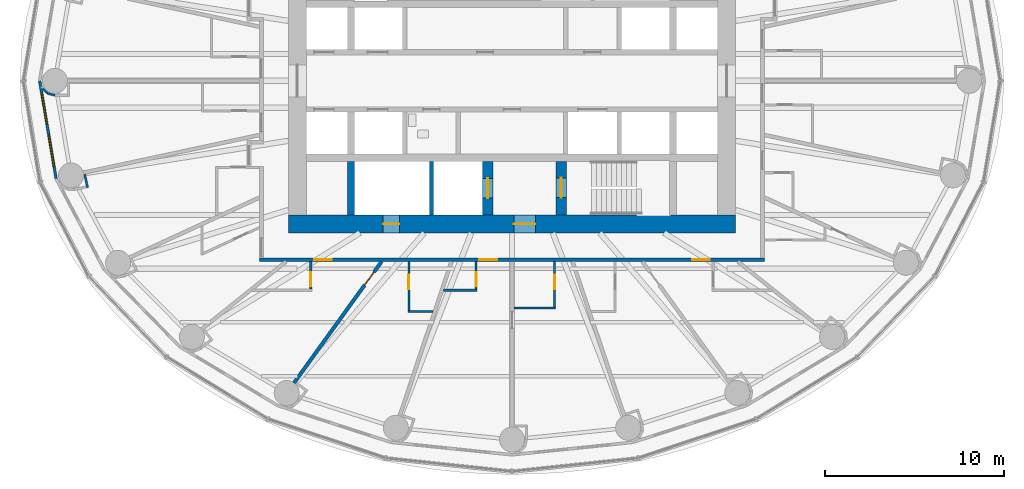
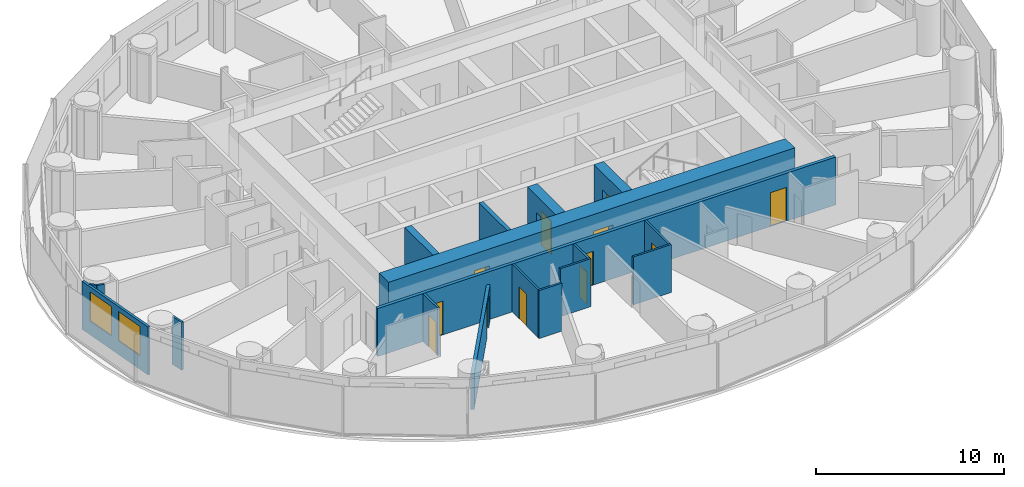
# One storey, part 7 of 16: 18 walls, 12 doors, 2 windows, 14 openings.
"""IFC4 building model written with IfcOpenShell, lengths in metres."""

import ifcopenshell
import ifcopenshell.guid

model = None  # the IFC model being written
_history = None  # IfcOwnerHistory: only IFC2X3 demands one
_inside = {}  # id of a spatial element -> (the spatial element, [elements in it])
_under = {}  # id of a project, library or spatial element -> (it, [spatial elements below it])
_declared = {}  # id of a project -> (the project, [libraries it declares])
_typed = {}  # id of a type object -> (the type object, [elements of that type])
_made_of = {}  # id of a material, layer set ... -> (it, [elements and type objects made of it])


def new_model(schema):
    """Start an empty IFC model of exactly this schema.

    Asked for "IFC4X3", IfcOpenShell would pick the latest addendum, in which some entities
    have other attributes; the version numbers below select the first issue.
    IFC2X3 requires an IfcOwnerHistory on every rooted entity: one is made here for all.
    """
    global model, _history
    if schema == "IFC4X3":
        model = ifcopenshell.file(schema_version=(4, 3, 0, 0))
    else:
        model = ifcopenshell.file(schema=schema)
    _inside.clear()
    _under.clear()
    _declared.clear()
    _typed.clear()
    _made_of.clear()
    _history = None
    if model.schema == "IFC2X3":
        org = make("IfcOrganization", Name="unknown")
        user = make(
            "IfcPersonAndOrganization",
            ThePerson=make("IfcPerson", FamilyName="unknown"),
            TheOrganization=org,
        )
        app = make(
            "IfcApplication",
            ApplicationDeveloper=org,
            Version="unknown",
            ApplicationFullName="unknown",
            ApplicationIdentifier="unknown",
        )
        _history = make(
            "IfcOwnerHistory",
            OwningUser=user,
            OwningApplication=app,
            ChangeAction="ADDED",
            CreationDate=0,
        )
    return model


def make(cls, **values):
    """One entity of the class cls with the attributes given. An attribute that is None is left unset."""
    return model.create_entity(
        cls, **{name: value for name, value in values.items() if value is not None}
    )


def rooted(cls, **values):
    """An entity with a GlobalId (a new one), such as an element, a storey or a relation."""
    return make(cls, GlobalId=ifcopenshell.guid.new(), OwnerHistory=_history, **values)


def si_unit(unit_type, name, prefix=None):
    """IfcSIUnit, for example si_unit("LENGTHUNIT", "METRE", prefix="MILLI")."""
    return make("IfcSIUnit", UnitType=unit_type, Prefix=prefix, Name=name)


def assignment(units):
    """IfcUnitAssignment: the units of a project."""
    return None if units is None else make("IfcUnitAssignment", Units=units)


def point(xyz):
    """IfcCartesianPoint."""
    return None if xyz is None else make("IfcCartesianPoint", Coordinates=xyz)


def direction(xyz):
    """IfcDirection."""
    return None if xyz is None else make("IfcDirection", DirectionRatios=xyz)


def frame(location, z_axis=None, x_axis=None):
    """IfcAxis2Placement3D, a coordinate frame: its origin and axes. An axis left out is left unset."""
    return make(
        "IfcAxis2Placement3D",
        Location=point(location),
        Axis=direction(z_axis),
        RefDirection=direction(x_axis),
    )


def frame_2d(location, x_axis=None):
    """IfcAxis2Placement2D, a coordinate frame in the plane: its origin and x axis."""
    return make(
        "IfcAxis2Placement2D", Location=point(location), RefDirection=direction(x_axis)
    )


def origin():
    """The frame at (0, 0, 0) with its axes left unset."""
    return frame((0.0, 0.0, 0.0))


def place(relative_to, where):
    """IfcLocalPlacement: puts the frame where relative to a parent placement (None: the world)."""
    return make(
        "IfcLocalPlacement", PlacementRelTo=relative_to, RelativePlacement=where
    )


def context(
    kind, dimensions, precision=None, world=None, true_north=None, identifier=None
):
    """IfcGeometricRepresentationContext, for example the 3D "Model" context."""
    return make(
        "IfcGeometricRepresentationContext",
        ContextIdentifier=identifier,
        ContextType=kind,
        CoordinateSpaceDimension=dimensions,
        Precision=precision,
        WorldCoordinateSystem=world,
        TrueNorth=true_north,
    )


def subcontext(parent, identifier, kind, view, scale=None):
    """IfcGeometricRepresentationSubContext, for example "Body" below "Model"."""
    return make(
        "IfcGeometricRepresentationSubContext",
        ContextIdentifier=identifier,
        ContextType=kind,
        ParentContext=parent,
        TargetScale=scale,
        TargetView=view,
    )


def project(units=None, contexts=None):
    """IfcProject with its units and contexts."""
    return rooted(
        "IfcProject",
        Name="project",
        RepresentationContexts=contexts,
        UnitsInContext=assignment(units),
    )


def spatial(cls, under=None, at=None, **own):
    """A site, building, storey or space (cls), placed at a placement, below another one or the project."""
    s = rooted(cls, ObjectPlacement=at, **own)
    if under is not None:
        _under.setdefault(under.id(), (under, []))[1].append(s)
    return s


def profile(cls, at=None, kind="AREA", **sizes):
    """A parametric profile (cls). Its sizes go by their IFC names, for example OverallWidth=200.0."""
    return make(cls, ProfileType=kind, Position=at, **sizes)


def rectangle(**sizes):
    """IfcRectangleProfileDef."""
    return profile("IfcRectangleProfileDef", **sizes)


def extrude(swept, where, along, depth):
    """IfcExtrudedAreaSolid: the profile swept, set in the frame where, extruded along a direction by depth."""
    return make(
        "IfcExtrudedAreaSolid",
        SweptArea=swept,
        Position=where,
        ExtrudedDirection=direction(along),
        Depth=depth,
    )


def shape(context_of_items, identifier, shape_type, items):
    """IfcShapeRepresentation: the items that make up one representation, for example the "Body"."""
    return make(
        "IfcShapeRepresentation",
        ContextOfItems=context_of_items,
        RepresentationIdentifier=identifier,
        RepresentationType=shape_type,
        Items=items,
    )


def material(Name=None, Category=None):
    """IfcMaterial."""
    return make("IfcMaterial", Name=Name, Category=Category)


def layer(
    of_material, thickness, ventilated=None, Name=None, Category=None, Priority=None
):
    """IfcMaterialLayer: one layer of a wall or slab, of a material (None: an air gap)."""
    return make(
        "IfcMaterialLayer",
        Material=of_material,
        LayerThickness=thickness,
        IsVentilated=ventilated,
        Name=Name,
        Category=Category,
        Priority=Priority,
    )


def layer_set(layers, Name=None):
    """IfcMaterialLayerSet."""
    return make("IfcMaterialLayerSet", MaterialLayers=layers, LayerSetName=Name)


def made_of(thing, what):
    """Note that an element or type object is made of a material, layer set ...; save() writes the relation."""
    if what is not None:
        _made_of.setdefault(what.id(), (what, []))[1].append(thing)
    return thing


def type_object(cls, material=None, **own):
    """A type object (cls), such as IfcWallType, which elements share."""
    return made_of(rooted(cls, **own), material)


def element(
    cls,
    number,
    at=None,
    inside=None,
    cuts=None,
    type_object=None,
    material=None,
    context=None,
    identifier="Body",
    shape_type=None,
    held_by="IfcProductDefinitionShape",
    body=None,
    shapes=None,
    **own,
):
    """One element of the class cls, such as IfcWall. Its Tag is "e" and its number.

    at: its placement. inside: the storey or other place that contains it. cuts: it is an
    opening in that element (IfcRelVoidsElement). A single representation is given by context,
    identifier, shape_type and body (its items); several are given by shapes. held_by: the class
    of the entity that holds the representations. save() writes the other relations.
    """
    e = rooted(cls, Tag="e%d" % number, ObjectPlacement=at, **own)
    if body is not None:
        shapes = [shape(context, identifier, shape_type, body)]
    if shapes is not None:
        e.Representation = make(held_by, Representations=shapes)
    if inside is not None:
        _inside.setdefault(inside.id(), (inside, []))[1].append(e)
    if cuts is not None:
        rooted(
            "IfcRelVoidsElement", RelatingBuildingElement=cuts, RelatedOpeningElement=e
        )
    if type_object is not None:
        _typed.setdefault(type_object.id(), (type_object, []))[1].append(e)
    return made_of(e, material)


def fill(opening, filler):
    """IfcRelFillsElement: the door or window that sits in an opening."""
    return rooted(
        "IfcRelFillsElement",
        RelatingOpeningElement=opening,
        RelatedBuildingElement=filler,
    )


def aggregate(whole, parts):
    """IfcRelAggregates: a whole, such as a stair, and the parts it consists of."""
    return rooted("IfcRelAggregates", RelatingObject=whole, RelatedObjects=parts)


def save(model, path):
    """Write the relations noted so far, then the file.

    IfcRelAggregates (storeys below a building ...), IfcRelContainedInSpatialStructure (elements
    in a storey), IfcRelDefinesByType, IfcRelAssociatesMaterial and IfcRelDeclares: one each for
    every whole, place, type object, material and project.
    """
    for whole, parts in _under.values():
        aggregate(whole, parts)
    for where, things in _inside.values():
        rooted(
            "IfcRelContainedInSpatialStructure",
            RelatedElements=things,
            RelatingStructure=where,
        )
    for kind, things in _typed.values():
        rooted("IfcRelDefinesByType", RelatedObjects=things, RelatingType=kind)
    for what, things in _made_of.values():
        rooted("IfcRelAssociatesMaterial", RelatedObjects=things, RelatingMaterial=what)
    for by, libraries in _declared.values():
        rooted("IfcRelDeclares", RelatingContext=by, RelatedDefinitions=libraries)
    model.write(path)


model = new_model("IFC4")

# Units and contexts
model_context = context("Model", 3, precision=1e-05, world=origin(), true_north=direction((0.0, 1.0)))
body_context = subcontext(model_context, "Body", "Model", "MODEL_VIEW")
ifc_project = project(units=[si_unit("LENGTHUNIT", "METRE"), si_unit("AREAUNIT", "SQUARE_METRE"), si_unit("VOLUMEUNIT", "CUBIC_METRE"), si_unit("PLANEANGLEUNIT", "RADIAN"), si_unit("MASSUNIT", "GRAM", prefix="KILO")], contexts=[model_context])

# Site, building, storey
site_placement = place(None, origin())
site = spatial("IfcSite", under=ifc_project, at=site_placement, CompositionType="ELEMENT")
building_placement = place(site_placement, origin())
building = spatial("IfcBuilding", under=site, at=building_placement, Name="Hankou Lantern Tower", CompositionType="ELEMENT")
storey_placement = place(building_placement, frame((0.0, 0.0, 73.800048828125)))
storey = spatial("IfcBuildingStorey", under=building, at=storey_placement, Name="L18", CompositionType="ELEMENT", Elevation=73.800048828125)

# Wall, openings, doors
ifc_material_1 = material(Name="Concrete C60", Category="concrete")
ifc_layer_1 = layer(ifc_material_1, 1.0)
ifc_layer_set_1 = layer_set([ifc_layer_1], Name="Concrete C60")
wall_type_1 = type_object("IfcWallType", Name="CW1 CORE WALL 1000", PredefinedType="SHEAR", material=ifc_layer_set_1)
wall_1_placement = place(storey_placement, frame((12.5, -8.0, 0.0), z_axis=(0.0, 0.0, 1.0), x_axis=(-1.0, 0.0, 0.0)))
wall_1 = element("IfcWall", 1, at=wall_1_placement, inside=storey, type_object=wall_type_1, Name="Core wall south L18", PredefinedType="SHEAR", context=body_context, shape_type="SweptSolid", body=[
    extrude(rectangle(XDim=25.0, YDim=1.0, at=frame_2d((12.5, 0.0))), origin(), (0.0, 0.0, 1.0), 3.300048828125),
])
opening_1_placement = place(wall_1_placement, frame((11.199951171875, 0.0, 0.0)))
opening_1 = element("IfcOpeningElement", 2, at=opening_1_placement, cuts=wall_1, Name="Opening D5", PredefinedType="OPENING", context=body_context, shape_type="SweptSolid", body=[
    extrude(rectangle(XDim=1.199951171875, YDim=2.199951171875, at=frame_2d((0.60009765625, 1.10009765625))), frame((0.0, 0.510009765625, 0.0), z_axis=(0.0, -1.0, 0.0), x_axis=(1.0, 0.0, 0.0)), (0.0, 0.0, 1.0), 1.02001953125),
])
opening_2_placement = place(wall_1_placement, frame((18.800048828125, 0.0, 0.0)))
opening_2 = element("IfcOpeningElement", 3, at=opening_2_placement, cuts=wall_1, Name="Opening D7", PredefinedType="OPENING", context=body_context, shape_type="SweptSolid", body=[
    extrude(rectangle(XDim=0.89990234375, YDim=2.199951171875, at=frame_2d((0.449951171875, 1.10009765625))), frame((0.0, 0.510009765625, 0.0), z_axis=(0.0, -1.0, 0.0), x_axis=(1.0, 0.0, 0.0)), (0.0, 0.0, 1.0), 1.02001953125),
])
ifc_material_2 = material(Name="Steel door leaf", Category="steel")
door_type_1 = type_object("IfcDoorType", Name="D5 STAIR LOBBY DOOR 1200X2200", OperationType="SINGLE_SWING_LEFT", PredefinedType="DOOR", material=ifc_material_2)
door_1_placement = place(opening_1_placement, origin())
door_1 = element("IfcDoor", 4, at=door_1_placement, inside=storey, type_object=door_type_1, Name="Stair B lobby door", OperationType="SINGLE_SWING_LEFT", OverallHeight=2.199951171875, OverallWidth=1.199951171875, PredefinedType="DOOR", context=body_context, shape_type="SweptSolid", body=[
    extrude(rectangle(XDim=1.199951171875, YDim=2.199951171875, at=frame_2d((0.60009765625, 1.10009765625))), frame((0.0, 0.02490234375, 0.0), z_axis=(0.0, -1.0, 0.0), x_axis=(1.0, 0.0, 0.0)), (0.0, 0.0, 1.0), 0.050048828125),
])
fill(opening_1, door_1)
ifc_material_3 = material(Name="Steel door leaf", Category="steel")
door_type_2 = type_object("IfcDoorType", Name="D7 RISER DOOR 900X2200", OperationType="SINGLE_SWING_LEFT", PredefinedType="DOOR", material=ifc_material_3)
door_2_placement = place(opening_2_placement, origin())
door_2 = element("IfcDoor", 5, at=door_2_placement, inside=storey, type_object=door_type_2, Name="Riser S1 door", OperationType="SINGLE_SWING_RIGHT", OverallHeight=2.199951171875, OverallWidth=0.89990234375, PredefinedType="DOOR", context=body_context, shape_type="SweptSolid", body=[
    extrude(rectangle(XDim=0.89990234375, YDim=2.199951171875, at=frame_2d((0.449951171875, 1.10009765625))), frame((0.0, 0.02490234375, 0.0), z_axis=(0.0, -1.0, 0.0), x_axis=(1.0, 0.0, 0.0)), (0.0, 0.0, 1.0), 0.050048828125),
])
fill(opening_2, door_2)

# Wall
ifc_material_4 = material(Name="Concrete C60", Category="concrete")
ifc_layer_2 = layer(ifc_material_4, 0.39990234375)
ifc_layer_set_2 = layer_set([ifc_layer_2], Name="Concrete C60")
wall_type_2 = type_object("IfcWallType", Name="CW4 CORE CROSS WALL 400", PredefinedType="SHEAR", material=ifc_layer_set_2)
wall_2_placement = place(storey_placement, frame((-9.0, -7.5, 0.0), z_axis=(0.0, 0.0, 1.0), x_axis=(0.0, 1.0, 0.0)))
element("IfcWall", 6, at=wall_2_placement, inside=storey, type_object=wall_type_2, Name="Core strip wall L18", PredefinedType="SHEAR", context=body_context, shape_type="SweptSolid", body=[
    extrude(rectangle(XDim=3.0, YDim=0.39990234375, at=frame_2d((1.5, 0.0))), origin(), (0.0, 0.0, 1.0), 3.300048828125),
])

# Wall, opening, door
ifc_material_5 = material(Name="Concrete C60", Category="concrete")
ifc_layer_3 = layer(ifc_material_5, 0.60009765625)
ifc_layer_set_3 = layer_set([ifc_layer_3], Name="Concrete C60")
wall_type_3 = type_object("IfcWallType", Name="CW6 STAIR AND SHAFT WALL 600", PredefinedType="SHEAR", material=ifc_layer_set_3)
wall_3_placement = place(storey_placement, frame((2.75, -7.5, 0.0), z_axis=(0.0, 0.0, 1.0), x_axis=(0.0, 1.0, 0.0)))
wall_3 = element("IfcWall", 7, at=wall_3_placement, inside=storey, type_object=wall_type_3, Name="Stair wall L18", PredefinedType="SHEAR", context=body_context, shape_type="SweptSolid", body=[
    extrude(rectangle(XDim=3.0, YDim=0.60009765625, at=frame_2d((1.5, 0.0))), origin(), (0.0, 0.0, 1.0), 3.300048828125),
])
opening_3_placement = place(wall_3_placement, frame((0.97509765625, 0.0, 0.0)))
opening_3 = element("IfcOpeningElement", 8, at=opening_3_placement, cuts=wall_3, Name="Opening D4", PredefinedType="OPENING", context=body_context, shape_type="SweptSolid", body=[
    extrude(rectangle(XDim=1.10009765625, YDim=2.199951171875, at=frame_2d((0.550048828125, 1.10009765625))), frame((0.0, 0.31005859375, 0.0), z_axis=(0.0, -1.0, 0.0), x_axis=(1.0, 0.0, 0.0)), (0.0, 0.0, 1.0), 0.6201171875),
])
ifc_material_6 = material(Name="Steel door leaf", Category="steel")
door_type_3 = type_object("IfcDoorType", Name="D4 STAIR DOOR 1100X2200", OperationType="SINGLE_SWING_LEFT", PredefinedType="DOOR", material=ifc_material_6)
door_3_placement = place(opening_3_placement, origin())
door_3 = element("IfcDoor", 9, at=door_3_placement, inside=storey, type_object=door_type_3, Name="Stair B door", OperationType="SINGLE_SWING_RIGHT", OverallHeight=2.199951171875, OverallWidth=1.10009765625, PredefinedType="DOOR", context=body_context, shape_type="SweptSolid", body=[
    extrude(rectangle(XDim=1.10009765625, YDim=2.199951171875, at=frame_2d((0.550048828125, 1.10009765625))), frame((0.0, 0.02490234375, 0.0), z_axis=(0.0, -1.0, 0.0), x_axis=(1.0, 0.0, 0.0)), (0.0, 0.0, 1.0), 0.050048828125),
])
fill(opening_3, door_3)

wall_4_placement = place(storey_placement, frame((-1.35009765625, -7.5, 0.0), z_axis=(0.0, 0.0, 1.0), x_axis=(0.0, 1.0, 0.0)))
wall_4 = element("IfcWall", 10, at=wall_4_placement, inside=storey, type_object=wall_type_3, Name="Firefighting lift shaft wall L18", PredefinedType="SHEAR", context=body_context, shape_type="SweptSolid", body=[
    extrude(rectangle(XDim=3.0, YDim=0.60009765625, at=frame_2d((1.5, 0.0))), origin(), (0.0, 0.0, 1.0), 3.300048828125),
])
opening_4_placement = place(wall_4_placement, frame((0.949951171875, 0.0, 0.0)))
opening_4 = element("IfcOpeningElement", 11, at=opening_4_placement, cuts=wall_4, Name="Opening LD2", PredefinedType="OPENING", context=body_context, shape_type="SweptSolid", body=[
    extrude(rectangle(XDim=1.10009765625, YDim=2.199951171875, at=frame_2d((0.550048828125, 1.10009765625))), frame((0.0, 0.31005859375, 0.0), z_axis=(0.0, -1.0, 0.0), x_axis=(1.0, 0.0, 0.0)), (0.0, 0.0, 1.0), 0.6201171875),
])
ifc_material_7 = material(Name="Steel door leaf", Category="steel")
door_type_4 = type_object("IfcDoorType", Name="LD2 FIREFIGHTING LIFT LANDING DOOR 1100X2200", OperationType="DOUBLE_DOOR_SLIDING", PredefinedType="DOOR", material=ifc_material_7)
door_4_placement = place(opening_4_placement, origin())
door_4 = element("IfcDoor", 12, at=door_4_placement, inside=storey, type_object=door_type_4, Name="Firefighting lift FL2 landing door", OperationType="DOUBLE_DOOR_SLIDING", OverallHeight=2.199951171875, OverallWidth=1.10009765625, PredefinedType="DOOR", context=body_context, shape_type="SweptSolid", body=[
    extrude(rectangle(XDim=1.10009765625, YDim=2.199951171875, at=frame_2d((0.550048828125, 1.10009765625))), frame((0.0, 0.02490234375, 0.0), z_axis=(0.0, -1.0, 0.0), x_axis=(1.0, 0.0, 0.0)), (0.0, 0.0, 1.0), 0.050048828125),
])
fill(opening_4, door_4)

# Wall, openings, windows
ifc_material_8 = material(Name="Aluminium spandrel panel on steel studs", Category="steel")
ifc_layer_4 = layer(ifc_material_8, 0.14990234375)
ifc_layer_set_4 = layer_set([ifc_layer_4], Name="Aluminium spandrel panel on steel studs")
wall_type_4 = type_object("IfcWallType", Name="EW1 INNER SKIN WALL 150", PredefinedType="ELEMENTEDWALL", material=ifc_layer_set_4)
wall_5_placement = place(storey_placement, frame((-26.39990234375, 0.0, 0.0), z_axis=(0.0, 0.0, 1.0), x_axis=(0.165642551694, -0.986185857264, 0.0)))
wall_5 = element("IfcWall", 13, at=wall_5_placement, inside=storey, type_object=wall_type_4, Name="Inner skin R13-R14 L18", PredefinedType="ELEMENTEDWALL", context=body_context, shape_type="SweptSolid", body=[
    extrude(rectangle(XDim=5.538818359375, YDim=0.14990234375, at=frame_2d((2.76953125, 0.0))), origin(), (0.0, 0.0, 1.0), 3.119873046875),
])
opening_5_placement = place(wall_5_placement, frame((0.66943359375, 0.0, 0.89990234375)))
opening_5 = element("IfcOpeningElement", 14, at=opening_5_placement, cuts=wall_5, Name="Opening W1", PredefinedType="OPENING", context=body_context, shape_type="SweptSolid", body=[
    extrude(rectangle(XDim=1.800048828125, YDim=1.89990234375, at=frame_2d((0.89990234375, 0.949951171875))), frame((0.0, 0.0849609375, 0.0), z_axis=(0.0, -1.0, 0.0), x_axis=(1.0, 0.0, 0.0)), (0.0, 0.0, 1.0), 0.169921875),
])
opening_6_placement = place(wall_5_placement, frame((3.069580078125, 0.0, 0.89990234375)))
opening_6 = element("IfcOpeningElement", 15, at=opening_6_placement, cuts=wall_5, Name="Opening W1", PredefinedType="OPENING", context=body_context, shape_type="SweptSolid", body=[
    extrude(rectangle(XDim=1.800048828125, YDim=1.89990234375, at=frame_2d((0.89990234375, 0.949951171875))), frame((0.0, 0.0849609375, 0.0), z_axis=(0.0, -1.0, 0.0), x_axis=(1.0, 0.0, 0.0)), (0.0, 0.0, 1.0), 0.169921875),
])
ifc_material_9 = material(Name="Aluminium framed double glazed window", Category="aluminium")
window_type = type_object("IfcWindowType", Name="W1 GUEST ROOM WINDOW 1800X1900", PartitioningType="DOUBLE_PANEL_VERTICAL", PredefinedType="WINDOW", material=ifc_material_9)
window_1_placement = place(opening_5_placement, origin())
window_1 = element("IfcWindow", 16, at=window_1_placement, inside=storey, type_object=window_type, Name="Window R13.1 L18", OverallHeight=1.89990234375, OverallWidth=1.800048828125, PartitioningType="SINGLE_PANEL", PredefinedType="WINDOW", context=body_context, shape_type="SweptSolid", body=[
    extrude(rectangle(XDim=1.800048828125, YDim=1.89990234375, at=frame_2d((0.89990234375, 0.949951171875))), frame((0.0, 0.030029296875, 0.0), z_axis=(0.0, -1.0, 0.0), x_axis=(1.0, 0.0, 0.0)), (0.0, 0.0, 1.0), 0.06005859375),
])
fill(opening_5, window_1)
window_2_placement = place(opening_6_placement, origin())
window_2 = element("IfcWindow", 17, at=window_2_placement, inside=storey, type_object=window_type, Name="Window R13.2 L18", OverallHeight=1.89990234375, OverallWidth=1.800048828125, PartitioningType="SINGLE_PANEL", PredefinedType="WINDOW", context=body_context, shape_type="SweptSolid", body=[
    extrude(rectangle(XDim=1.800048828125, YDim=1.89990234375, at=frame_2d((0.89990234375, 0.949951171875))), frame((0.0, 0.030029296875, 0.0), z_axis=(0.0, -1.0, 0.0), x_axis=(1.0, 0.0, 0.0)), (0.0, 0.0, 1.0), 0.06005859375),
])
fill(opening_6, window_2)

# Wall, openings, doors
ifc_material_10 = material(Name="Masonry lightweight concrete block", Category="masonry")
ifc_layer_5 = layer(ifc_material_10, 0.199951171875)
ifc_layer_set_5 = layer_set([ifc_layer_5], Name="Masonry lightweight concrete block")
wall_type_5 = type_object("IfcWallType", Name="IW2 CORRIDOR WALL 200", PredefinedType="PARTITIONING", material=ifc_layer_set_5)
wall_6_placement = place(storey_placement, frame((14.10009765625, -10.0, 0.0), z_axis=(0.0, 0.0, 1.0), x_axis=(-1.0, 0.0, 0.0)))
wall_6 = element("IfcWall", 18, at=wall_6_placement, inside=storey, type_object=wall_type_5, Name="Corridor wall south", PredefinedType="PARTITIONING", context=body_context, shape_type="SweptSolid", body=[
    extrude(rectangle(XDim=28.2001953125, YDim=0.199951171875, at=frame_2d((14.10009765625, 0.0))), origin(), (0.0, 0.0, 1.0), 3.119873046875),
])
opening_7_placement = place(wall_6_placement, frame((24.1650390625, 0.0, 0.0)))
opening_7 = element("IfcOpeningElement", 19, at=opening_7_placement, cuts=wall_6, Name="Opening D2", PredefinedType="OPENING", context=body_context, shape_type="SweptSolid", body=[
    extrude(rectangle(XDim=1.0, YDim=2.199951171875, at=frame_2d((0.5, 1.10009765625))), frame((0.0, 0.10986328125, 0.0), z_axis=(0.0, -1.0, 0.0), x_axis=(1.0, 0.0, 0.0)), (0.0, 0.0, 1.0), 0.219970703125),
])
opening_8_placement = place(wall_6_placement, frame((14.9228515625, 0.0, 0.0)))
opening_8 = element("IfcOpeningElement", 20, at=opening_8_placement, cuts=wall_6, Name="Opening D2", PredefinedType="OPENING", context=body_context, shape_type="SweptSolid", body=[
    extrude(rectangle(XDim=1.0, YDim=2.199951171875, at=frame_2d((0.5, 1.10009765625))), frame((0.0, 0.10986328125, 0.0), z_axis=(0.0, -1.0, 0.0), x_axis=(1.0, 0.0, 0.0)), (0.0, 0.0, 1.0), 0.219970703125),
])
opening_9_placement = place(wall_6_placement, frame((3.034912109375, 0.0, 0.0)))
opening_9 = element("IfcOpeningElement", 21, at=opening_9_placement, cuts=wall_6, Name="Opening D2", PredefinedType="OPENING", context=body_context, shape_type="SweptSolid", body=[
    extrude(rectangle(XDim=1.0, YDim=2.199951171875, at=frame_2d((0.5, 1.10009765625))), frame((0.0, 0.10986328125, 0.0), z_axis=(0.0, -1.0, 0.0), x_axis=(1.0, 0.0, 0.0)), (0.0, 0.0, 1.0), 0.219970703125),
])
ifc_material_11 = material(Name="Steel door leaf", Category="steel")
door_type_5 = type_object("IfcDoorType", Name="D2 SUITE DOOR 1000X2200", OperationType="SINGLE_SWING_LEFT", PredefinedType="DOOR", material=ifc_material_11)
door_5_placement = place(opening_7_placement, origin())
door_5 = element("IfcDoor", 22, at=door_5_placement, inside=storey, type_object=door_type_5, Name="Suite door 1801C", OperationType="SINGLE_SWING_RIGHT", OverallHeight=2.199951171875, OverallWidth=1.0, PredefinedType="DOOR", context=body_context, shape_type="SweptSolid", body=[
    extrude(rectangle(XDim=1.0, YDim=2.199951171875, at=frame_2d((0.5, 1.10009765625))), frame((0.0, 0.02490234375, 0.0), z_axis=(0.0, -1.0, 0.0), x_axis=(1.0, 0.0, 0.0)), (0.0, 0.0, 1.0), 0.050048828125),
])
fill(opening_7, door_5)
door_6_placement = place(opening_8_placement, origin())
door_6 = element("IfcDoor", 23, at=door_6_placement, inside=storey, type_object=door_type_5, Name="Suite door 1802C", OperationType="SINGLE_SWING_RIGHT", OverallHeight=2.199951171875, OverallWidth=1.0, PredefinedType="DOOR", context=body_context, shape_type="SweptSolid", body=[
    extrude(rectangle(XDim=1.0, YDim=2.199951171875, at=frame_2d((0.5, 1.10009765625))), frame((0.0, 0.02490234375, 0.0), z_axis=(0.0, -1.0, 0.0), x_axis=(1.0, 0.0, 0.0)), (0.0, 0.0, 1.0), 0.050048828125),
])
fill(opening_8, door_6)
door_7_placement = place(opening_9_placement, origin())
door_7 = element("IfcDoor", 24, at=door_7_placement, inside=storey, type_object=door_type_5, Name="Suite door 1803C", OperationType="SINGLE_SWING_LEFT", OverallHeight=2.199951171875, OverallWidth=1.0, PredefinedType="DOOR", context=body_context, shape_type="SweptSolid", body=[
    extrude(rectangle(XDim=1.0, YDim=2.199951171875, at=frame_2d((0.5, 1.10009765625))), frame((0.0, 0.02490234375, 0.0), z_axis=(0.0, -1.0, 0.0), x_axis=(1.0, 0.0, 0.0)), (0.0, 0.0, 1.0), 0.050048828125),
])
fill(opening_9, door_7)

# Wall, opening, door
ifc_material_12 = material(Name="Masonry lightweight concrete block", Category="masonry")
ifc_layer_6 = layer(ifc_material_12, 0.1201171875)
ifc_layer_set_6 = layer_set([ifc_layer_6], Name="Masonry lightweight concrete block")
wall_type_6 = type_object("IfcWallType", Name="IW3 BATHROOM WALL 120", PredefinedType="PARTITIONING", material=ifc_layer_set_6)
wall_7_placement = place(storey_placement, frame((-11.2451171875, -10.10009765625, 0.0), z_axis=(0.0, 0.0, 1.0), x_axis=(0.0, -1.0, 0.0)))
wall_7 = element("IfcWall", 25, at=wall_7_placement, inside=storey, type_object=wall_type_6, Name="Box wall 1801C 1", PredefinedType="PARTITIONING", context=body_context, shape_type="SweptSolid", body=[
    extrude(rectangle(XDim=1.539794921875, YDim=0.1201171875, at=frame_2d((0.77001953125, 0.0))), origin(), (0.0, 0.0, 1.0), 3.119873046875),
])
opening_10_placement = place(wall_7_placement, frame((0.590087890625, 0.0, 0.0)))
opening_10 = element("IfcOpeningElement", 26, at=opening_10_placement, cuts=wall_7, Name="Opening D3", PredefinedType="OPENING", context=body_context, shape_type="SweptSolid", body=[
    extrude(rectangle(XDim=0.800048828125, YDim=2.10009765625, at=frame_2d((0.39990234375, 1.050048828125))), frame((0.0, 0.070068359375, 0.0), z_axis=(0.0, -1.0, 0.0), x_axis=(1.0, 0.0, 0.0)), (0.0, 0.0, 1.0), 0.14013671875),
])
ifc_material_13 = material(Name="Timber door leaf", Category="wood")
door_type_6 = type_object("IfcDoorType", Name="D3 BATHROOM DOOR 800X2100", OperationType="SINGLE_SWING_LEFT", PredefinedType="DOOR", material=ifc_material_13)
door_8_placement = place(opening_10_placement, origin())
door_8 = element("IfcDoor", 27, at=door_8_placement, inside=storey, type_object=door_type_6, Name="Suite 1801 guest WC door", OperationType="SINGLE_SWING_LEFT", OverallHeight=2.10009765625, OverallWidth=0.800048828125, PredefinedType="DOOR", context=body_context, shape_type="SweptSolid", body=[
    extrude(rectangle(XDim=0.800048828125, YDim=2.10009765625, at=frame_2d((0.39990234375, 1.050048828125))), frame((0.0, 0.02490234375, 0.0), z_axis=(0.0, -1.0, 0.0), x_axis=(1.0, 0.0, 0.0)), (0.0, 0.0, 1.0), 0.050048828125),
])
fill(opening_10, door_8)

# Wall
wall_8_placement = place(storey_placement, frame((-4.420654296875, -12.89990234375, 0.0), z_axis=(0.0, 0.0, 1.0), x_axis=(-1.0, 0.0, 0.0)))
element("IfcWall", 28, at=wall_8_placement, inside=storey, type_object=wall_type_6, Name="Box wall 1801A 1", PredefinedType="PARTITIONING", context=body_context, shape_type="SweptSolid", body=[
    extrude(rectangle(XDim=1.402099609375, YDim=0.1201171875, at=frame_2d((0.701171875, 0.0))), origin(), (0.0, 0.0, 1.0), 3.119873046875),
])

# Wall, opening, door
wall_9_placement = place(storey_placement, frame((-5.762939453125, -10.10009765625, 0.0), z_axis=(0.0, 0.0, 1.0), x_axis=(0.0, -1.0, 0.0)))
wall_9 = element("IfcWall", 29, at=wall_9_placement, inside=storey, type_object=wall_type_6, Name="Box wall 1801A 1", PredefinedType="PARTITIONING", context=body_context, shape_type="SweptSolid", body=[
    extrude(rectangle(XDim=2.739990234375, YDim=0.1201171875, at=frame_2d((1.3701171875, 0.0))), origin(), (0.0, 0.0, 1.0), 3.119873046875),
])
opening_11_placement = place(wall_9_placement, frame((0.75, 0.0, 0.0)))
opening_11 = element("IfcOpeningElement", 30, at=opening_11_placement, cuts=wall_9, Name="Opening D3", PredefinedType="OPENING", context=body_context, shape_type="SweptSolid", body=[
    extrude(rectangle(XDim=0.800048828125, YDim=2.10009765625, at=frame_2d((0.39990234375, 1.050048828125))), frame((0.0, 0.070068359375, 0.0), z_axis=(0.0, -1.0, 0.0), x_axis=(1.0, 0.0, 0.0)), (0.0, 0.0, 1.0), 0.14013671875),
])
door_9_placement = place(opening_11_placement, origin())
door_9 = element("IfcDoor", 31, at=door_9_placement, inside=storey, type_object=door_type_6, Name="Suite 1801 bathroom door", OperationType="SINGLE_SWING_LEFT", OverallHeight=2.10009765625, OverallWidth=0.800048828125, PredefinedType="DOOR", context=body_context, shape_type="SweptSolid", body=[
    extrude(rectangle(XDim=0.800048828125, YDim=2.10009765625, at=frame_2d((0.39990234375, 1.050048828125))), frame((0.0, 0.02490234375, 0.0), z_axis=(0.0, -1.0, 0.0), x_axis=(1.0, 0.0, 0.0)), (0.0, 0.0, 1.0), 0.050048828125),
])
fill(opening_11, door_9)

# Wall
wall_10_placement = place(storey_placement, frame((-3.81884765625, -11.699951171875, 0.0), z_axis=(0.0, 0.0, 1.0), x_axis=(1.0, 0.0, 0.0)))
element("IfcWall", 32, at=wall_10_placement, inside=storey, type_object=wall_type_6, Name="Box wall 1802C 1", PredefinedType="PARTITIONING", context=body_context, shape_type="SweptSolid", body=[
    extrude(rectangle(XDim=1.8759765625, YDim=0.1201171875, at=frame_2d((0.93798828125, 0.0))), origin(), (0.0, 0.0, 1.0), 3.119873046875),
])

# Wall, opening, door
wall_11_placement = place(storey_placement, frame((-2.0029296875, -10.10009765625, 0.0), z_axis=(0.0, 0.0, 1.0), x_axis=(0.0, -1.0, 0.0)))
wall_11 = element("IfcWall", 33, at=wall_11_placement, inside=storey, type_object=wall_type_6, Name="Box wall 1802C 1", PredefinedType="PARTITIONING", context=body_context, shape_type="SweptSolid", body=[
    extrude(rectangle(XDim=1.539794921875, YDim=0.1201171875, at=frame_2d((0.77001953125, 0.0))), origin(), (0.0, 0.0, 1.0), 3.119873046875),
])
opening_12_placement = place(wall_11_placement, frame((0.590087890625, 0.0, 0.0)))
opening_12 = element("IfcOpeningElement", 34, at=opening_12_placement, cuts=wall_11, Name="Opening D3", PredefinedType="OPENING", context=body_context, shape_type="SweptSolid", body=[
    extrude(rectangle(XDim=0.800048828125, YDim=2.10009765625, at=frame_2d((0.39990234375, 1.050048828125))), frame((0.0, 0.070068359375, 0.0), z_axis=(0.0, -1.0, 0.0), x_axis=(1.0, 0.0, 0.0)), (0.0, 0.0, 1.0), 0.14013671875),
])
door_10_placement = place(opening_12_placement, origin())
door_10 = element("IfcDoor", 35, at=door_10_placement, inside=storey, type_object=door_type_6, Name="Suite 1802 guest WC door", OperationType="SINGLE_SWING_LEFT", OverallHeight=2.10009765625, OverallWidth=0.800048828125, PredefinedType="DOOR", context=body_context, shape_type="SweptSolid", body=[
    extrude(rectangle(XDim=0.800048828125, YDim=2.10009765625, at=frame_2d((0.39990234375, 1.050048828125))), frame((0.0, 0.02490234375, 0.0), z_axis=(0.0, -1.0, 0.0), x_axis=(1.0, 0.0, 0.0)), (0.0, 0.0, 1.0), 0.050048828125),
])
fill(opening_12, door_10)

# Wall
wall_12_placement = place(storey_placement, frame((0.10009765625, -12.699951171875, 0.0), z_axis=(0.0, 0.0, 1.0), x_axis=(1.0, 0.0, 0.0)))
element("IfcWall", 36, at=wall_12_placement, inside=storey, type_object=wall_type_6, Name="Box wall 1802A 1", PredefinedType="PARTITIONING", context=body_context, shape_type="SweptSolid", body=[
    extrude(rectangle(XDim=2.33984375, YDim=0.1201171875, at=frame_2d((1.169921875, 0.0))), origin(), (0.0, 0.0, 1.0), 3.119873046875),
])

# Wall, opening, door
wall_13_placement = place(storey_placement, frame((2.3798828125, -10.10009765625, 0.0), z_axis=(0.0, 0.0, 1.0), x_axis=(0.0, -1.0, 0.0)))
wall_13 = element("IfcWall", 37, at=wall_13_placement, inside=storey, type_object=wall_type_6, Name="Box wall 1802A 1", PredefinedType="PARTITIONING", context=body_context, shape_type="SweptSolid", body=[
    extrude(rectangle(XDim=2.539794921875, YDim=0.1201171875, at=frame_2d((1.27001953125, 0.0))), origin(), (0.0, 0.0, 1.0), 3.119873046875),
])
opening_13_placement = place(wall_13_placement, frame((0.75, 0.0, 0.0)))
opening_13 = element("IfcOpeningElement", 38, at=opening_13_placement, cuts=wall_13, Name="Opening D3", PredefinedType="OPENING", context=body_context, shape_type="SweptSolid", body=[
    extrude(rectangle(XDim=0.800048828125, YDim=2.10009765625, at=frame_2d((0.39990234375, 1.050048828125))), frame((0.0, 0.070068359375, 0.0), z_axis=(0.0, -1.0, 0.0), x_axis=(1.0, 0.0, 0.0)), (0.0, 0.0, 1.0), 0.14013671875),
])
door_11_placement = place(opening_13_placement, origin())
door_11 = element("IfcDoor", 39, at=door_11_placement, inside=storey, type_object=door_type_6, Name="Suite 1802 bathroom door", OperationType="SINGLE_SWING_LEFT", OverallHeight=2.10009765625, OverallWidth=0.800048828125, PredefinedType="DOOR", context=body_context, shape_type="SweptSolid", body=[
    extrude(rectangle(XDim=0.800048828125, YDim=2.10009765625, at=frame_2d((0.39990234375, 1.050048828125))), frame((0.0, 0.02490234375, 0.0), z_axis=(0.0, -1.0, 0.0), x_axis=(1.0, 0.0, 0.0)), (0.0, 0.0, 1.0), 0.050048828125),
])
fill(opening_13, door_11)

# Walls
ifc_material_14 = material(Name="Masonry lightweight concrete block", Category="masonry")
ifc_layer_7 = layer(ifc_material_14, 0.1201171875)
ifc_layer_set_7 = layer_set([ifc_layer_7], Name="Masonry lightweight concrete block")
wall_type_7 = type_object("IfcWallType", Name="IW4 PARTITION 120", PredefinedType="PARTITIONING", material=ifc_layer_set_7)
wall_14_placement = place(storey_placement, frame((-25.550048828125, -0.8076171875, 0.0), z_axis=(0.0, 0.0, 1.0), x_axis=(-0.965807183573, 0.2592614205, 0.0)))
element("IfcWall", 40, at=wall_14_placement, inside=storey, type_object=wall_type_7, Name="Column casing R13", PredefinedType="PARTITIONING", context=body_context, shape_type="SweptSolid", body=[
    extrude(rectangle(XDim=0.418212890625, YDim=0.1201171875, at=frame_2d((0.208984375, 0.0))), origin(), (0.0, 0.0, 1.0), 3.119873046875),
])
wall_15_placement = place(storey_placement, frame((-25.953857421875, -0.69921875, 0.0), z_axis=(0.0, 0.0, 1.0), x_axis=(-0.707106781187, 0.707106781187, 0.0)))
element("IfcWall", 41, at=wall_15_placement, inside=storey, type_object=wall_type_7, Name="Column casing R13", PredefinedType="PARTITIONING", context=body_context, shape_type="SweptSolid", body=[
    extrude(rectangle(XDim=0.417724609375, YDim=0.1201171875, at=frame_2d((0.208984375, 0.0))), origin(), (0.0, 0.0, 1.0), 3.119873046875),
])
wall_16_placement = place(storey_placement, frame((-23.8828125, -5.2216796875, 0.0), z_axis=(0.0, 0.0, 1.0), x_axis=(0.209311842415, -0.977848941619, 0.0)))
element("IfcWall", 42, at=wall_16_placement, inside=storey, type_object=wall_type_7, Name="Column casing R14 return", PredefinedType="PARTITIONING", context=body_context, shape_type="SweptSolid", body=[
    extrude(rectangle(XDim=0.767578125, YDim=0.1201171875, at=frame_2d((0.3837890625, 0.0))), origin(), (0.0, 0.0, 1.0), 3.119873046875),
])

# Wall, opening, door
ifc_material_15 = material(Name="Masonry lightweight concrete block", Category="masonry")
ifc_layer_8 = layer(ifc_material_15, 0.199951171875)
ifc_layer_set_8 = layer_set([ifc_layer_8], Name="Masonry lightweight concrete block")
wall_type_8 = type_object("IfcWallType", Name="IW6 SUITE PARTITION 200", PredefinedType="PARTITIONING", material=ifc_layer_set_8)
wall_17_placement = place(storey_placement, frame((-7.2890625, -10.10009765625, 0.0), z_axis=(0.0, 0.0, 1.0), x_axis=(-0.585198353053, -0.810890182197, 0.0)))
wall_17 = element("IfcWall", 43, at=wall_17_placement, inside=storey, type_object=wall_type_8, Name="Suite partition R17", PredefinedType="PARTITIONING", context=body_context, shape_type="SweptSolid", body=[
    extrude(rectangle(XDim=8.359619140625, YDim=0.199951171875, at=frame_2d((4.1796875, 0.0))), origin(), (0.0, 0.0, 1.0), 2.320068359375),
])
opening_14_placement = place(wall_17_placement, frame((0.719970703125, 0.0, 0.0)))
opening_14 = element("IfcOpeningElement", 44, at=opening_14_placement, cuts=wall_17, Name="Opening D27", PredefinedType="OPENING", context=body_context, shape_type="SweptSolid", body=[
    extrude(rectangle(XDim=0.89990234375, YDim=2.10009765625, at=frame_2d((0.449951171875, 1.050048828125))), frame((0.0, 0.10986328125, 0.0), z_axis=(0.0, -1.0, 0.0), x_axis=(1.0, 0.0, 0.0)), (0.0, 0.0, 1.0), 0.219970703125),
])
ifc_material_16 = material(Name="Timber door leaf", Category="wood")
door_type_7 = type_object("IfcDoorType", Name="D27 INTERNAL DOOR 900X2100", OperationType="SINGLE_SWING_LEFT", PredefinedType="DOOR", material=ifc_material_16)
door_12_placement = place(opening_14_placement, origin())
door_12 = element("IfcDoor", 45, at=door_12_placement, inside=storey, type_object=door_type_7, Name="Suite 1801 bedroom door", OperationType="SINGLE_SWING_LEFT", OverallHeight=2.10009765625, OverallWidth=0.89990234375, PredefinedType="DOOR", context=body_context, shape_type="SweptSolid", body=[
    extrude(rectangle(XDim=0.89990234375, YDim=2.10009765625, at=frame_2d((0.449951171875, 1.050048828125))), frame((0.0, 0.02490234375, 0.0), z_axis=(0.0, -1.0, 0.0), x_axis=(1.0, 0.0, 0.0)), (0.0, 0.0, 1.0), 0.050048828125),
])
fill(opening_14, door_12)

# Wall
ifc_material_17 = material(Name="Masonry autoclaved aerated concrete block", Category="masonry")
ifc_layer_9 = layer(ifc_material_17, 0.25)
ifc_layer_set_9 = layer_set([ifc_layer_9], Name="Masonry autoclaved aerated concrete block")
wall_type_9 = type_object("IfcWallType", Name="SW1 SHAFT BLOCK WALL 250", PredefinedType="PARTITIONING", material=ifc_layer_set_9)
wall_18_placement = place(storey_placement, frame((-4.5, -7.5, 0.0), z_axis=(0.0, 0.0, 1.0), x_axis=(0.0, 1.0, 0.0)))
element("IfcWall", 46, at=wall_18_placement, inside=storey, type_object=wall_type_9, Name="Riser wall L18", PredefinedType="PARTITIONING", context=body_context, shape_type="SweptSolid", body=[
    extrude(rectangle(XDim=3.0, YDim=0.25, at=frame_2d((1.5, 0.0))), origin(), (0.0, 0.0, 1.0), 3.300048828125),
])

save(model, "model.ifc")
